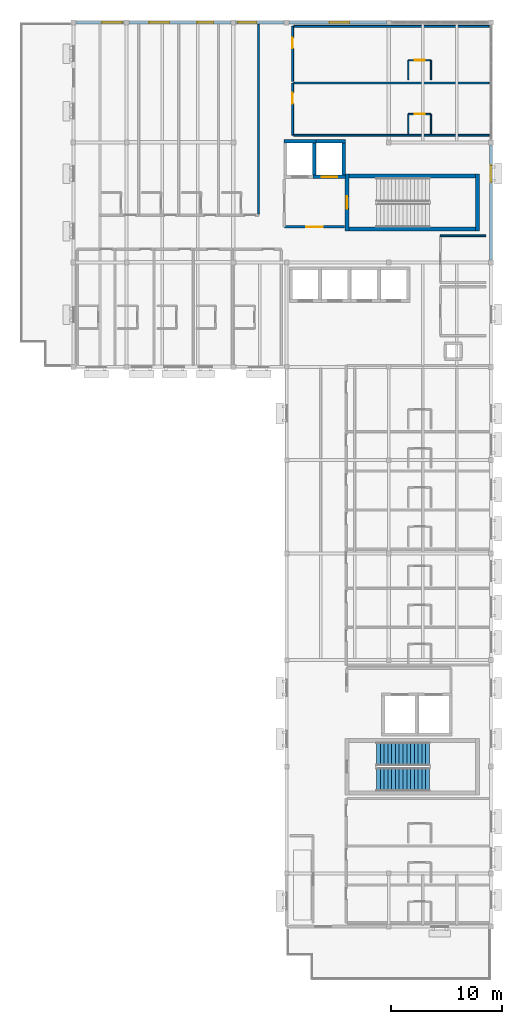
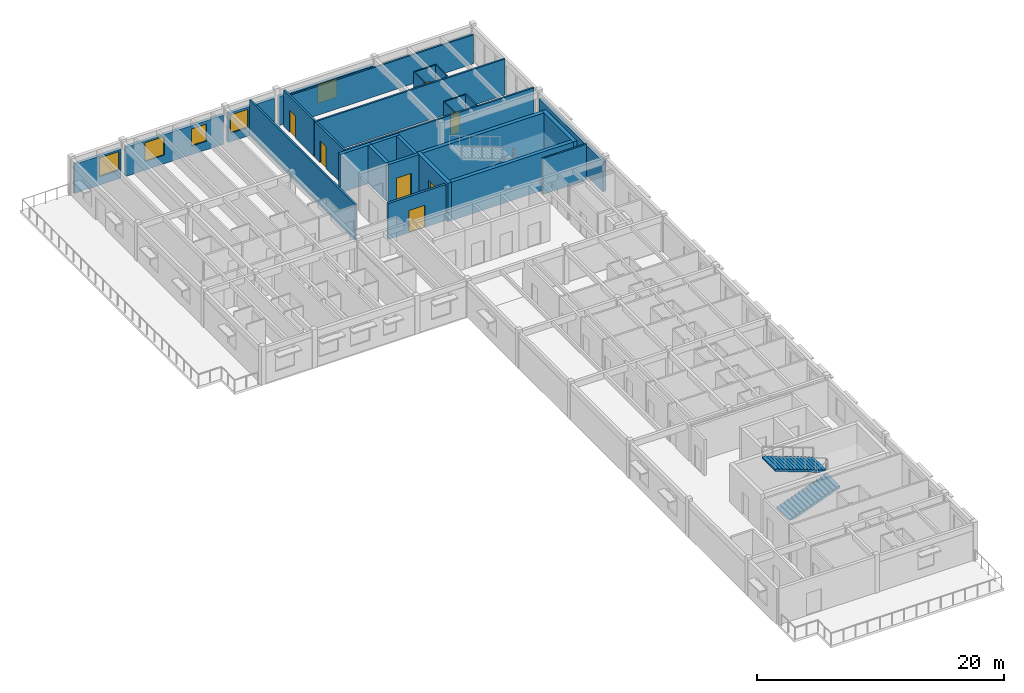
# One storey, part 10 of 15: 28 walls, 7 doors, 6 windows, 2 stair flights, 13 openings, 1 element without a shape of its own.
"""IFC4 building model written with IfcOpenShell, lengths in metres."""

from ifc_helpers import new_model, si_unit, direction, frame, frame_2d, origin, place, context, subcontext, project, spatial, polyline, rectangle, outline, extrude, material, layer, layer_set, type_object, element, fill, aggregate, save


model = new_model("IFC4")

# Units and contexts
model_context = context("Model", 3, precision=1e-05, world=origin(), true_north=direction((0.0, 1.0)))
body_context = subcontext(model_context, "Body", "Model", "MODEL_VIEW")
ifc_project = project(units=[si_unit("LENGTHUNIT", "METRE"), si_unit("AREAUNIT", "SQUARE_METRE"), si_unit("VOLUMEUNIT", "CUBIC_METRE"), si_unit("PLANEANGLEUNIT", "RADIAN"), si_unit("MASSUNIT", "GRAM", prefix="KILO")], contexts=[model_context])

# Site, building, storey
site_placement = place(None, origin())
site = spatial("IfcSite", under=ifc_project, at=site_placement, CompositionType="ELEMENT")
building_placement = place(site_placement, origin())
building = spatial("IfcBuilding", under=site, at=building_placement, Name="Veldera Park Congress Hotel", CompositionType="ELEMENT")
storey_placement = place(building_placement, frame((0.0, 0.0, 39.0)))
storey = spatial("IfcBuildingStorey", under=building, at=storey_placement, Name="L09", CompositionType="ELEMENT", Elevation=39.0)

# Wall, opening, window
ifc_material_1 = material(Name="Cross-laminated timber CLT V2M1.1", Category="wood")
ifc_layer_1 = layer(ifc_material_1, 0.280029296875)
ifc_layer_set_1 = layer_set([ifc_layer_1], Name="Cross-laminated timber CLT V2M1.1")
wall_type_1 = type_object("IfcWallType", Name="EW-CLT280", PredefinedType="STANDARD", material=ifc_layer_set_1)
wall_1_placement = place(storey_placement, frame((84.0, 36.623046875, 0.0), z_axis=(0.0, 0.0, 1.0), x_axis=(0.0, 1.0, 0.0)))
wall_1 = element("IfcWall", 1, at=wall_1_placement, inside=storey, type_object=wall_type_1, Name="L09 Exterior Wall EW3-L09-0406", PredefinedType="STANDARD", context=body_context, shape_type="SweptSolid", body=[
    extrude(rectangle(XDim=10.35400390625, YDim=0.280029296875, at=frame_2d((5.177001953125, 0.0))), origin(), (0.0, 0.0, 1.0), 2.97998046875),
])
opening_1_placement = place(wall_1_placement, frame((7.015380859375, 0.0, 0.85009765625)))
opening_1 = element("IfcOpeningElement", 2, at=opening_1_placement, cuts=wall_1, Name="Opening WIN-1500", PredefinedType="OPENING", context=body_context, shape_type="SweptSolid", body=[
    extrude(rectangle(XDim=1.5, YDim=1.75, at=frame_2d((0.75, 0.875))), frame((0.0, 0.152099609375, 0.0), z_axis=(0.0, -1.0, 0.0), x_axis=(1.0, 0.0, 0.0)), (0.0, 0.0, 1.0), 0.303955078125),
])
ifc_material_2 = material(Name="Low-E Triple Insulating Glass Unit (SHGC 0.22)", Category="glass")
window_type_1 = type_object("IfcWindowType", Name="WIN-1500", PartitioningType="SINGLE_PANEL", PredefinedType="WINDOW", material=ifc_material_2)
window_1_placement = place(opening_1_placement, origin())
window_1 = element("IfcWindow", 3, at=window_1_placement, inside=storey, type_object=window_type_1, Name="L09 Window WIN-1500 314", OverallHeight=1.75, OverallWidth=1.5, PartitioningType="SINGLE_PANEL", PredefinedType="WINDOW", context=body_context, shape_type="SweptSolid", body=[
    extrude(rectangle(XDim=1.5, YDim=1.75, at=frame_2d((0.75, 0.875))), frame((0.0, 0.030029296875, 0.0), z_axis=(0.0, -1.0, 0.0), x_axis=(1.0, 0.0, 0.0)), (0.0, 0.0, 1.0), 0.06005859375),
])
fill(opening_1, window_1)

wall_2_placement = place(storey_placement, frame((74.576904296875, 58.0, 0.0), z_axis=(0.0, 0.0, 1.0), x_axis=(-1.0, 0.0, 0.0)))
wall_2 = element("IfcWall", 4, at=wall_2_placement, inside=storey, type_object=wall_type_1, Name="L09 Exterior Wall EW3-L09-0407", PredefinedType="STANDARD", context=body_context, shape_type="SweptSolid", body=[
    extrude(rectangle(XDim=8.75390625, YDim=0.280029296875, at=frame_2d((4.376953125, 0.0))), origin(), (0.0, 0.0, 1.0), 2.8798828125),
])
opening_2_placement = place(wall_2_placement, frame((3.3134765625, 0.0, 0.85009765625)))
opening_2 = element("IfcOpeningElement", 5, at=opening_2_placement, cuts=wall_2, Name="Opening WIN-1800", PredefinedType="OPENING", context=body_context, shape_type="SweptSolid", body=[
    extrude(rectangle(XDim=1.800048828125, YDim=1.85009765625, at=frame_2d((0.89990234375, 0.925048828125))), frame((0.0, 0.152099609375, 0.0), z_axis=(0.0, -1.0, 0.0), x_axis=(1.0, 0.0, 0.0)), (0.0, 0.0, 1.0), 0.303955078125),
])
window_type_2 = type_object("IfcWindowType", Name="WIN-1800", PartitioningType="SINGLE_PANEL", PredefinedType="WINDOW", material=ifc_material_2)
window_2_placement = place(opening_2_placement, origin())
window_2 = element("IfcWindow", 6, at=window_2_placement, inside=storey, type_object=window_type_2, Name="L09 Window WIN-1800 575", OverallHeight=1.85009765625, OverallWidth=1.800048828125, PartitioningType="SINGLE_PANEL", PredefinedType="WINDOW", context=body_context, shape_type="SweptSolid", body=[
    extrude(rectangle(XDim=1.800048828125, YDim=1.85009765625, at=frame_2d((0.89990234375, 0.925048828125))), frame((0.0, 0.030029296875, 0.0), z_axis=(0.0, -1.0, 0.0), x_axis=(1.0, 0.0, 0.0)), (0.0, 0.0, 1.0), 0.06005859375),
])
fill(opening_2, window_2)

wall_3_placement = place(storey_placement, frame((65.376953125, 58.0, 0.0), z_axis=(0.0, 0.0, 1.0), x_axis=(-1.0, 0.0, 0.0)))
wall_3 = element("IfcWall", 7, at=wall_3_placement, inside=storey, type_object=wall_type_1, Name="L09 Exterior Wall EW3-L09-0408", PredefinedType="STANDARD", context=body_context, shape_type="SweptSolid", body=[
    extrude(rectangle(XDim=4.35400390625, YDim=0.280029296875, at=frame_2d((2.177001953125, 0.0))), origin(), (0.0, 0.0, 1.0), 2.8798828125),
])
opening_3_placement = place(wall_3_placement, frame((2.50048828125, 0.0, 0.85009765625)))
opening_3 = element("IfcOpeningElement", 8, at=opening_3_placement, cuts=wall_3, Name="Opening WIN-1650", PredefinedType="OPENING", context=body_context, shape_type="SweptSolid", body=[
    extrude(rectangle(XDim=1.64990234375, YDim=1.800048828125, at=frame_2d((0.824951171875, 0.89990234375))), frame((0.0, 0.152099609375, 0.0), z_axis=(0.0, -1.0, 0.0), x_axis=(1.0, 0.0, 0.0)), (0.0, 0.0, 1.0), 0.303955078125),
])
window_type_3 = type_object("IfcWindowType", Name="WIN-1650", PartitioningType="SINGLE_PANEL", PredefinedType="WINDOW", material=ifc_material_2)
window_3_placement = place(opening_3_placement, origin())
window_3 = element("IfcWindow", 9, at=window_3_placement, inside=storey, type_object=window_type_3, Name="L09 Window WIN-1650 578", OverallHeight=1.800048828125, OverallWidth=1.64990234375, PartitioningType="SINGLE_PANEL", PredefinedType="WINDOW", context=body_context, shape_type="SweptSolid", body=[
    extrude(rectangle(XDim=1.64990234375, YDim=1.800048828125, at=frame_2d((0.824951171875, 0.89990234375))), frame((0.0, 0.030029296875, 0.0), z_axis=(0.0, -1.0, 0.0), x_axis=(1.0, 0.0, 0.0)), (0.0, 0.0, 1.0), 0.06005859375),
])
fill(opening_3, window_3)

# Wall, openings, windows
wall_4_placement = place(storey_placement, frame((60.576904296875, 58.0, 0.0), z_axis=(0.0, 0.0, 1.0), x_axis=(-1.0, 0.0, 0.0)))
wall_4 = element("IfcWall", 10, at=wall_4_placement, inside=storey, type_object=wall_type_1, Name="L09 Exterior Wall EW3-L09-0409", PredefinedType="STANDARD", context=body_context, shape_type="SweptSolid", body=[
    extrude(rectangle(XDim=9.15380859375, YDim=0.280029296875, at=frame_2d((4.576904296875, 0.0))), origin(), (0.0, 0.0, 1.0), 2.8798828125),
])
opening_4_placement = place(wall_4_placement, frame((1.57861328125, 0.0, 0.85009765625)))
opening_4 = element("IfcOpeningElement", 11, at=opening_4_placement, cuts=wall_4, Name="Opening WIN-1420", PredefinedType="OPENING", context=body_context, shape_type="SweptSolid", body=[
    extrude(rectangle(XDim=1.419921875, YDim=1.699951171875, at=frame_2d((0.7099609375, 0.85009765625))), frame((0.0, 0.152099609375, 0.0), z_axis=(0.0, -1.0, 0.0), x_axis=(1.0, 0.0, 0.0)), (0.0, 0.0, 1.0), 0.303955078125),
])
opening_5_placement = place(wall_4_placement, frame((5.537109375, 0.0, 0.85009765625)))
opening_5 = element("IfcOpeningElement", 12, at=opening_5_placement, cuts=wall_4, Name="Opening WIN-1800", PredefinedType="OPENING", context=body_context, shape_type="SweptSolid", body=[
    extrude(rectangle(XDim=1.800048828125, YDim=1.85009765625, at=frame_2d((0.89990234375, 0.925048828125))), frame((0.0, 0.152099609375, 0.0), z_axis=(0.0, -1.0, 0.0), x_axis=(1.0, 0.0, 0.0)), (0.0, 0.0, 1.0), 0.303955078125),
])
window_type_4 = type_object("IfcWindowType", Name="WIN-1420", PartitioningType="SINGLE_PANEL", PredefinedType="WINDOW", material=ifc_material_2)
window_4_placement = place(opening_4_placement, origin())
window_4 = element("IfcWindow", 13, at=window_4_placement, inside=storey, type_object=window_type_4, Name="L09 Window WIN-1420 315", OverallHeight=1.699951171875, OverallWidth=1.419921875, PartitioningType="SINGLE_PANEL", PredefinedType="WINDOW", context=body_context, shape_type="SweptSolid", body=[
    extrude(rectangle(XDim=1.419921875, YDim=1.699951171875, at=frame_2d((0.7099609375, 0.85009765625))), frame((0.0, 0.030029296875, 0.0), z_axis=(0.0, -1.0, 0.0), x_axis=(1.0, 0.0, 0.0)), (0.0, 0.0, 1.0), 0.06005859375),
])
fill(opening_4, window_4)
window_5_placement = place(opening_5_placement, origin())
window_5 = element("IfcWindow", 14, at=window_5_placement, inside=storey, type_object=window_type_2, Name="L09 Window WIN-1800 577", OverallHeight=1.85009765625, OverallWidth=1.800048828125, PartitioningType="SINGLE_PANEL", PredefinedType="WINDOW", context=body_context, shape_type="SweptSolid", body=[
    extrude(rectangle(XDim=1.800048828125, YDim=1.85009765625, at=frame_2d((0.89990234375, 0.925048828125))), frame((0.0, 0.030029296875, 0.0), z_axis=(0.0, -1.0, 0.0), x_axis=(1.0, 0.0, 0.0)), (0.0, 0.0, 1.0), 0.06005859375),
])
fill(opening_5, window_5)

# Wall, opening, window
wall_5_placement = place(storey_placement, frame((50.97705078125, 58.0, 0.0), z_axis=(0.0, 0.0, 1.0), x_axis=(-1.0, 0.0, 0.0)))
wall_5 = element("IfcWall", 15, at=wall_5_placement, inside=storey, type_object=wall_type_1, Name="L09 Exterior Wall EW3-L09-0410", PredefinedType="STANDARD", context=body_context, shape_type="SweptSolid", body=[
    extrude(rectangle(XDim=4.35400390625, YDim=0.280029296875, at=frame_2d((2.177001953125, 0.0))), origin(), (0.0, 0.0, 1.0), 2.8798828125),
])
opening_6_placement = place(wall_5_placement, frame((0.1884765625, 0.0, 0.85009765625)))
opening_6 = element("IfcOpeningElement", 16, at=opening_6_placement, cuts=wall_5, Name="Opening WIN-1800", PredefinedType="OPENING", context=body_context, shape_type="SweptSolid", body=[
    extrude(rectangle(XDim=1.800048828125, YDim=1.85009765625, at=frame_2d((0.89990234375, 0.925048828125))), frame((0.0, 0.152099609375, 0.0), z_axis=(0.0, -1.0, 0.0), x_axis=(1.0, 0.0, 0.0)), (0.0, 0.0, 1.0), 0.303955078125),
])
window_6_placement = place(opening_6_placement, origin())
window_6 = element("IfcWindow", 17, at=window_6_placement, inside=storey, type_object=window_type_2, Name="L09 Window WIN-1800 576", OverallHeight=1.85009765625, OverallWidth=1.800048828125, PartitioningType="SINGLE_PANEL", PredefinedType="WINDOW", context=body_context, shape_type="SweptSolid", body=[
    extrude(rectangle(XDim=1.800048828125, YDim=1.85009765625, at=frame_2d((0.89990234375, 0.925048828125))), frame((0.0, 0.030029296875, 0.0), z_axis=(0.0, -1.0, 0.0), x_axis=(1.0, 0.0, 0.0)), (0.0, 0.0, 1.0), 0.06005859375),
])
fill(opening_6, window_6)

# Walls
ifc_material_3 = material(Name="Fire-Rated Gypsum Board on Cold-Formed Steel Studs", Category="steel")
ifc_layer_2 = layer(ifc_material_3, 0.1201171875)
ifc_layer_set_2 = layer_set([ifc_layer_2], Name="Fire-Rated Gypsum Board on Cold-Formed Steel Studs")
wall_type_2 = type_object("IfcWallType", Name="IW-BATH120", PredefinedType="PARTITIONING", material=ifc_layer_set_2)
for number, where, z_axis, x_axis, name in (
    (18, (76.550048828125, 48.0, 0.0), (0.0, 0.0, 1.0), (0.0, 1.0, 0.0), "L09 Partition Wall IW3-L09-01663"),
    (19, (78.60009765625, 48.0, 0.0), (0.0, 0.0, 1.0), (0.0, 1.0, 0.0), "L09 Partition Wall IW3-L09-01664"),
):
    element("IfcWall", number, at=place(storey_placement, frame(where, z_axis=z_axis, x_axis=x_axis)), inside=storey, type_object=wall_type_2, Name=name, PredefinedType="PARTITIONING", context=body_context, shape_type="SweptSolid", body=[
        extrude(rectangle(XDim=1.75, YDim=0.1201171875, at=frame_2d((0.875, 0.0))), origin(), (0.0, 0.0, 1.0), 3.56494140625),
    ])

# Wall, opening, door
wall_6_placement = place(storey_placement, frame((76.550048828125, 49.75, 0.0), z_axis=(0.0, 0.0, 1.0), x_axis=(1.0, 0.0, 0.0)))
wall_6 = element("IfcWall", 20, at=wall_6_placement, inside=storey, type_object=wall_type_2, Name="L09 Partition Wall IW3-L09-01665", PredefinedType="PARTITIONING", context=body_context, shape_type="SweptSolid", body=[
    extrude(rectangle(XDim=2.050048828125, YDim=0.1201171875, at=frame_2d((1.02490234375, 0.0))), origin(), (0.0, 0.0, 1.0), 3.56494140625),
])
opening_7_placement = place(wall_6_placement, frame((0.574951171875, 0.0, 0.0)))
opening_7 = element("IfcOpeningElement", 21, at=opening_7_placement, cuts=wall_6, Name="Opening ID-BATH090", PredefinedType="OPENING", context=body_context, shape_type="SweptSolid", body=[
    extrude(rectangle(XDim=0.89990234375, YDim=2.14990234375, at=frame_2d((0.449951171875, 1.074951171875))), frame((0.0, 0.072021484375, 0.0), z_axis=(0.0, -1.0, 0.0), x_axis=(1.0, 0.0, 0.0)), (0.0, 0.0, 1.0), 0.14404296875),
])
ifc_material_4 = material(Name="Solid Core White Oak Architectural Door", Category="wood")
door_type_1 = type_object("IfcDoorType", Name="ID-BATH090", OperationType="NOTDEFINED", PredefinedType="DOOR", material=ifc_material_4)
door_1_placement = place(opening_7_placement, origin())
door_1 = element("IfcDoor", 22, at=door_1_placement, inside=storey, type_object=door_type_1, Name="L09 En-suite 272 Door ID3-L09-0683 (DR3-ID3-L09-0683)", OperationType="SINGLE_SWING_LEFT", OverallHeight=2.14990234375, OverallWidth=0.89990234375, PredefinedType="DOOR", context=body_context, shape_type="SweptSolid", body=[
    extrude(rectangle(XDim=0.89990234375, YDim=2.14990234375, at=frame_2d((0.449951171875, 1.074951171875))), frame((0.0, 0.02490234375, 0.0), z_axis=(0.0, -1.0, 0.0), x_axis=(1.0, 0.0, 0.0)), (0.0, 0.0, 1.0), 0.050048828125),
])
fill(opening_7, door_1)

# Walls
for number, where, z_axis, x_axis, name in (
    (23, (76.550048828125, 52.85009765625, 0.0), (0.0, 0.0, 1.0), (0.0, 1.0, 0.0), "L09 Partition Wall IW3-L09-01668"),
    (24, (78.60009765625, 52.85009765625, 0.0), (0.0, 0.0, 1.0), (0.0, 1.0, 0.0), "L09 Partition Wall IW3-L09-01669"),
):
    element("IfcWall", number, at=place(storey_placement, frame(where, z_axis=z_axis, x_axis=x_axis)), inside=storey, type_object=wall_type_2, Name=name, PredefinedType="PARTITIONING", context=body_context, shape_type="SweptSolid", body=[
        extrude(rectangle(XDim=1.75, YDim=0.1201171875, at=frame_2d((0.875, 0.0))), origin(), (0.0, 0.0, 1.0), 3.56494140625),
    ])

# Wall, opening, door
wall_7_placement = place(storey_placement, frame((76.550048828125, 54.60009765625, 0.0), z_axis=(0.0, 0.0, 1.0), x_axis=(1.0, 0.0, 0.0)))
wall_7 = element("IfcWall", 25, at=wall_7_placement, inside=storey, type_object=wall_type_2, Name="L09 Partition Wall IW3-L09-01670", PredefinedType="PARTITIONING", context=body_context, shape_type="SweptSolid", body=[
    extrude(rectangle(XDim=2.050048828125, YDim=0.1201171875, at=frame_2d((1.02490234375, 0.0))), origin(), (0.0, 0.0, 1.0), 3.56494140625),
])
opening_8_placement = place(wall_7_placement, frame((0.574951171875, 0.0, 0.0)))
opening_8 = element("IfcOpeningElement", 26, at=opening_8_placement, cuts=wall_7, Name="Opening ID-BATH090", PredefinedType="OPENING", context=body_context, shape_type="SweptSolid", body=[
    extrude(rectangle(XDim=0.89990234375, YDim=2.14990234375, at=frame_2d((0.449951171875, 1.074951171875))), frame((0.0, 0.072021484375, 0.0), z_axis=(0.0, -1.0, 0.0), x_axis=(1.0, 0.0, 0.0)), (0.0, 0.0, 1.0), 0.14404296875),
])
door_2_placement = place(opening_8_placement, origin())
door_2 = element("IfcDoor", 27, at=door_2_placement, inside=storey, type_object=door_type_1, Name="L09 En-suite 273 Door ID3-L09-0685 (DR3-ID3-L09-0685)", OperationType="SINGLE_SWING_LEFT", OverallHeight=2.14990234375, OverallWidth=0.89990234375, PredefinedType="DOOR", context=body_context, shape_type="SweptSolid", body=[
    extrude(rectangle(XDim=0.89990234375, YDim=2.14990234375, at=frame_2d((0.449951171875, 1.074951171875))), frame((0.0, 0.02490234375, 0.0), z_axis=(0.0, -1.0, 0.0), x_axis=(1.0, 0.0, 0.0)), (0.0, 0.0, 1.0), 0.050048828125),
])
fill(opening_8, door_2)

ifc_layer_3 = layer(ifc_material_3, 0.179931640625)
ifc_layer_set_3 = layer_set([ifc_layer_3], Name="Fire-Rated Gypsum Board on Cold-Formed Steel Studs")
wall_type_3 = type_object("IfcWallType", Name="IW-CORR180", PredefinedType="PARTITIONING", material=ifc_layer_set_3)
wall_8_placement = place(storey_placement, frame((66.14990234375, 52.550048828125, 0.0), z_axis=(0.0, 0.0, 1.0), x_axis=(0.0, -1.0, 0.0)))
wall_8 = element("IfcWall", 28, at=wall_8_placement, inside=storey, type_object=wall_type_3, Name="L09 Corridor Wall IW3-L09-01660", PredefinedType="PARTITIONING", context=body_context, shape_type="SweptSolid", body=[
    extrude(rectangle(XDim=4.699951171875, YDim=0.179931640625, at=frame_2d((2.35009765625, 0.0))), origin(), (0.0, 0.0, 1.0), 3.56494140625),
])
opening_9_placement = place(wall_8_placement, frame((0.8798828125, 0.0, 0.0)))
opening_9 = element("IfcOpeningElement", 29, at=opening_9_placement, cuts=wall_8, Name="Opening ID-UNIT098", PredefinedType="OPENING", context=body_context, shape_type="SweptSolid", body=[
    extrude(rectangle(XDim=0.97998046875, YDim=2.179931640625, at=frame_2d((0.489990234375, 1.08984375))), frame((0.0, 0.10205078125, 0.0), z_axis=(0.0, -1.0, 0.0), x_axis=(1.0, 0.0, 0.0)), (0.0, 0.0, 1.0), 0.203857421875),
])
door_type_2 = type_object("IfcDoorType", Name="ID-UNIT098", OperationType="NOTDEFINED", PredefinedType="DOOR", material=ifc_material_4)
door_3_placement = place(opening_9_placement, origin())
door_3 = element("IfcDoor", 30, at=door_3_placement, inside=storey, type_object=door_type_2, Name="L09 Guestroom 272 Entry Door (DR3-UD3-L09-272)", OperationType="SINGLE_SWING_RIGHT", OverallHeight=2.179931640625, OverallWidth=0.97998046875, PredefinedType="DOOR", context=body_context, shape_type="SweptSolid", body=[
    extrude(rectangle(XDim=0.97998046875, YDim=2.179931640625, at=frame_2d((0.489990234375, 1.08984375))), frame((0.0, 0.02490234375, 0.0), z_axis=(0.0, -1.0, 0.0), x_axis=(1.0, 0.0, 0.0)), (0.0, 0.0, 1.0), 0.050048828125),
])
fill(opening_9, door_3)

wall_9_placement = place(storey_placement, frame((66.14990234375, 57.64990234375, 0.0), z_axis=(0.0, 0.0, 1.0), x_axis=(0.0, -1.0, 0.0)))
wall_9 = element("IfcWall", 31, at=wall_9_placement, inside=storey, type_object=wall_type_3, Name="L09 Corridor Wall IW3-L09-01666", PredefinedType="PARTITIONING", context=body_context, shape_type="SweptSolid", body=[
    extrude(rectangle(XDim=4.949951171875, YDim=0.179931640625, at=frame_2d((2.47509765625, 0.0))), origin(), (0.0, 0.0, 1.0), 3.56494140625),
])
opening_10_placement = place(wall_9_placement, frame((1.0048828125, 0.0, 0.0)))
opening_10 = element("IfcOpeningElement", 32, at=opening_10_placement, cuts=wall_9, Name="Opening ID-UNIT098", PredefinedType="OPENING", context=body_context, shape_type="SweptSolid", body=[
    extrude(rectangle(XDim=0.97998046875, YDim=2.179931640625, at=frame_2d((0.489990234375, 1.08984375))), frame((0.0, 0.10205078125, 0.0), z_axis=(0.0, -1.0, 0.0), x_axis=(1.0, 0.0, 0.0)), (0.0, 0.0, 1.0), 0.203857421875),
])
door_4_placement = place(opening_10_placement, origin())
door_4 = element("IfcDoor", 33, at=door_4_placement, inside=storey, type_object=door_type_2, Name="L09 Guestroom 273 Entry Door (DR3-UD3-L09-273)", OperationType="SINGLE_SWING_RIGHT", OverallHeight=2.179931640625, OverallWidth=0.97998046875, PredefinedType="DOOR", context=body_context, shape_type="SweptSolid", body=[
    extrude(rectangle(XDim=0.97998046875, YDim=2.179931640625, at=frame_2d((0.489990234375, 1.08984375))), frame((0.0, 0.02490234375, 0.0), z_axis=(0.0, -1.0, 0.0), x_axis=(1.0, 0.0, 0.0)), (0.0, 0.0, 1.0), 0.050048828125),
])
fill(opening_10, door_4)

ifc_material_5 = material(Name="Concrete f'c 40 MPa (5,800 psi)", Category="concrete")
ifc_layer_4 = layer(ifc_material_5, 0.219970703125)
ifc_layer_set_4 = layer_set([ifc_layer_4], Name="Concrete f'c 40 MPa (5,800 psi)")
wall_type_4 = type_object("IfcWallType", Name="IW-FIRE220", PredefinedType="STANDARD", material=ifc_layer_set_4)
wall_10_placement = place(storey_placement, frame((65.39990234375, 39.60009765625, 0.0), z_axis=(0.0, 0.0, 1.0), x_axis=(1.0, 0.0, 0.0)))
wall_10 = element("IfcWall", 34, at=wall_10_placement, inside=storey, type_object=wall_type_4, Name="L09 Partition Wall IW3-L09-00319", PredefinedType="STANDARD", context=body_context, shape_type="SweptSolid", body=[
    extrude(rectangle(XDim=5.400146484375, YDim=0.219970703125, at=frame_2d((2.7001953125, 0.0))), origin(), (0.0, 0.0, 1.0), 3.56494140625),
])
opening_11_placement = place(wall_10_placement, frame((1.949951171875, 0.0, 0.0)))
opening_11 = element("IfcOpeningElement", 35, at=opening_11_placement, cuts=wall_10, Name="Opening ID-LOB150", PredefinedType="OPENING", context=body_context, shape_type="SweptSolid", body=[
    extrude(rectangle(XDim=1.5, YDim=2.199951171875, at=frame_2d((0.75, 1.10009765625))), frame((0.0, 0.1220703125, 0.0), z_axis=(0.0, -1.0, 0.0), x_axis=(1.0, 0.0, 0.0)), (0.0, 0.0, 1.0), 0.243896484375),
])
ifc_material_6 = material(Name="Hollow Metal Fire-Rated Steel Door", Category="steel")
door_type_3 = type_object("IfcDoorType", Name="ID-LOB150", OperationType="DOUBLE_DOOR_SINGLE_SWING", PredefinedType="DOOR", material=ifc_material_6)
door_5_placement = place(opening_11_placement, origin())
door_5 = element("IfcDoor", 36, at=door_5_placement, inside=storey, type_object=door_type_3, Name="L09 Firefighting Lobby Door ID3-L09-0119 (DR3-ID3-L09-0119)", OperationType="DOUBLE_DOOR_SINGLE_SWING", OverallHeight=2.199951171875, OverallWidth=1.5, PredefinedType="DOOR", context=body_context, shape_type="SweptSolid", body=[
    extrude(rectangle(XDim=1.5, YDim=2.199951171875, at=frame_2d((0.75, 1.10009765625))), frame((0.0, 0.02490234375, 0.0), z_axis=(0.0, -1.0, 0.0), x_axis=(1.0, 0.0, 0.0)), (0.0, 0.0, 1.0), 0.050048828125),
])
fill(opening_11, door_5)

# Walls
ifc_layer_5 = layer(ifc_material_3, 0.14990234375)
ifc_layer_set_5 = layer_set([ifc_layer_5], Name="Fire-Rated Gypsum Board on Cold-Formed Steel Studs")
wall_type_5 = type_object("IfcWallType", Name="IW-PLMB150", PredefinedType="PLUMBINGWALL", material=ifc_layer_set_5)
wall_11_placement = place(storey_placement, frame((83.550048828125, 38.800048828125, 0.0), z_axis=(0.0, 0.0, 1.0), x_axis=(-1.0, 0.0, 0.0)))
element("IfcWall", 37, at=wall_11_placement, inside=storey, type_object=wall_type_5, Name="L09 Partition Wall IW3-L09-00328", PredefinedType="PLUMBINGWALL", context=body_context, shape_type="SweptSolid", body=[
    extrude(rectangle(XDim=4.10009765625, YDim=0.14990234375, at=frame_2d((2.050048828125, 0.0))), origin(), (0.0, 0.0, 1.0), 3.56494140625),
])
ifc_layer_6 = layer(ifc_material_1, 0.159912109375)
ifc_layer_set_6 = layer_set([ifc_layer_6], Name="Cross-laminated timber CLT V2M1.1")
wall_type_6 = type_object("IfcWallType", Name="IW-UNIT160", PredefinedType="PARTITIONING", material=ifc_layer_set_6)
for number, where, z_axis, x_axis, name in (
    (38, (66.25, 47.85009765625, 0.0), (0.0, 0.0, 1.0), (1.0, 0.0, 0.0), "L09 Partition Wall IW3-L09-01661"),
    (39, (66.25, 52.550048828125, 0.0), (0.0, 0.0, 1.0), (1.0, 0.0, 0.0), "L09 Partition Wall IW3-L09-01662"),
):
    element("IfcWall", number, at=place(storey_placement, frame(where, z_axis=z_axis, x_axis=x_axis)), inside=storey, type_object=wall_type_6, Name=name, PredefinedType="PARTITIONING", context=body_context, shape_type="SweptSolid", body=[
        extrude(rectangle(XDim=17.590087890625, YDim=0.159912109375, at=frame_2d((8.794921875, 0.0))), origin(), (0.0, 0.0, 1.0), 3.56494140625),
    ])
wall_12_placement = place(storey_placement, frame((66.25, 57.64990234375, 0.0), z_axis=(0.0, 0.0, 1.0), x_axis=(1.0, 0.0, 0.0)))
element("IfcWall", 40, at=wall_12_placement, inside=storey, type_object=wall_type_6, Name="L09 Partition Wall IW3-L09-01667", PredefinedType="PARTITIONING", context=body_context, shape_type="SweptSolid", body=[
    extrude(rectangle(XDim=17.590087890625, YDim=0.159912109375, at=frame_2d((8.794921875, 0.0))), origin(), (0.0, 0.0, 1.0), 2.8798828125),
])
wall_13_placement = place(storey_placement, frame((63.080078125, 40.75, 0.0), z_axis=(0.0, 0.0, 1.0), x_axis=(0.0, 1.0, 0.0)))
element("IfcWall", 41, at=wall_13_placement, inside=storey, type_object=wall_type_6, Name="L09 Partition Wall IW3-L09-01685", PredefinedType="PARTITIONING", context=body_context, shape_type="SweptSolid", body=[
    extrude(rectangle(XDim=17.090087890625, YDim=0.159912109375, at=frame_2d((8.544921875, 0.0))), origin(), (0.0, 0.0, 1.0), 3.56494140625),
])
ifc_layer_7 = layer(ifc_material_5, 0.35009765625)
ifc_layer_set_7 = layer_set([ifc_layer_7], Name="Concrete f'c 40 MPa (5,800 psi)")
wall_type_7 = type_object("IfcWallType", Name="SW-CORE350", PredefinedType="SHEAR", material=ifc_layer_set_7)
wall_14_placement = place(storey_placement, frame((70.85009765625, 39.425048828125, 0.0), z_axis=(0.0, 0.0, 1.0), x_axis=(1.0, 0.0, 0.0)))
element("IfcWall", 42, at=wall_14_placement, inside=storey, type_object=wall_type_7, Name="Stair ST1 Core Wall L09-S", PredefinedType="SHEAR", context=body_context, shape_type="SweptSolid", body=[
    extrude(rectangle(XDim=12.099853515625, YDim=0.35009765625, at=frame_2d((6.0498046875, 0.0))), origin(), (0.0, 0.0, 1.0), 3.800048828125),
])
wall_15_placement = place(storey_placement, frame((82.77490234375, 39.25, 0.0), z_axis=(0.0, 0.0, 1.0), x_axis=(0.0, 1.0, 0.0)))
element("IfcWall", 43, at=wall_15_placement, inside=storey, type_object=wall_type_7, Name="Stair ST1 Core Wall L09-E", PredefinedType="SHEAR", context=body_context, shape_type="SweptSolid", body=[
    extrude(rectangle(XDim=5.10009765625, YDim=0.35009765625, at=frame_2d((2.550048828125, 0.0))), origin(), (0.0, 0.0, 1.0), 3.800048828125),
])
wall_16_placement = place(storey_placement, frame((82.949951171875, 44.175048828125, 0.0), z_axis=(0.0, 0.0, 1.0), x_axis=(-1.0, 0.0, 0.0)))
element("IfcWall", 44, at=wall_16_placement, inside=storey, type_object=wall_type_7, Name="Stair ST1 Core Wall L09-N", PredefinedType="SHEAR", context=body_context, shape_type="SweptSolid", body=[
    extrude(rectangle(XDim=12.099853515625, YDim=0.35009765625, at=frame_2d((6.0498046875, 0.0))), origin(), (0.0, 0.0, 1.0), 3.800048828125),
])

# Wall, opening, door
wall_17_placement = place(storey_placement, frame((71.02490234375, 44.35009765625, 0.0), z_axis=(0.0, 0.0, 1.0), x_axis=(0.0, -1.0, 0.0)))
wall_17 = element("IfcWall", 45, at=wall_17_placement, inside=storey, type_object=wall_type_7, Name="Stair ST1 Core Wall L09-W", PredefinedType="SHEAR", context=body_context, shape_type="SweptSolid", body=[
    extrude(rectangle(XDim=5.10009765625, YDim=0.35009765625, at=frame_2d((2.550048828125, 0.0))), origin(), (0.0, 0.0, 1.0), 3.800048828125),
])
opening_12_placement = place(wall_17_placement, frame((2.0, 0.0, 0.0)))
opening_12 = element("IfcOpeningElement", 46, at=opening_12_placement, cuts=wall_17, Name="Opening ID-STAIR110", PredefinedType="OPENING", context=body_context, shape_type="SweptSolid", body=[
    extrude(rectangle(XDim=1.10009765625, YDim=2.199951171875, at=frame_2d((0.550048828125, 1.10009765625))), frame((0.0, 0.18701171875, 0.0), z_axis=(0.0, -1.0, 0.0), x_axis=(1.0, 0.0, 0.0)), (0.0, 0.0, 1.0), 0.3740234375),
])
door_type_4 = type_object("IfcDoorType", Name="ID-STAIR110", OperationType="NOTDEFINED", PredefinedType="DOOR", material=ifc_material_6)
door_6_placement = place(opening_12_placement, origin())
door_6 = element("IfcDoor", 47, at=door_6_placement, inside=storey, type_object=door_type_4, Name="L09 Stair ST1 Fire Door (DR3-SD-ST1-L09)", OperationType="SINGLE_SWING_LEFT", OverallHeight=2.199951171875, OverallWidth=1.10009765625, PredefinedType="DOOR", context=body_context, shape_type="SweptSolid", body=[
    extrude(rectangle(XDim=1.10009765625, YDim=2.199951171875, at=frame_2d((0.550048828125, 1.10009765625))), frame((0.0, 0.02490234375, 0.0), z_axis=(0.0, -1.0, 0.0), x_axis=(1.0, 0.0, 0.0)), (0.0, 0.0, 1.0), 0.050048828125),
])
fill(opening_12, door_6)

# Walls
ifc_layer_8 = layer(ifc_material_5, 0.300048828125)
ifc_layer_set_8 = layer_set([ifc_layer_8], Name="Concrete f'c 40 MPa (5,800 psi)")
wall_type_8 = type_object("IfcWallType", Name="SW-SHFT300", PredefinedType="SHEAR", material=ifc_layer_set_8)
for number, where, z_axis, x_axis, name in (
    (48, (68.25, 47.300048828125, 0.0), (0.0, 0.0, 1.0), (-1.0, 0.0, 0.0), "Lift FL-01 Shaft Wall L09-N"),
    (49, (68.10009765625, 44.25, 0.0), (0.0, 0.0, 1.0), (0.0, 1.0, 0.0), "Lift FL-01 Shaft Wall L09-E"),
):
    element("IfcWall", number, at=place(storey_placement, frame(where, z_axis=z_axis, x_axis=x_axis)), inside=storey, type_object=wall_type_8, Name=name, PredefinedType="SHEAR", context=body_context, shape_type="SweptSolid", body=[
        extrude(rectangle(XDim=2.89990234375, YDim=0.300048828125, at=frame_2d((1.449951171875, 0.0))), origin(), (0.0, 0.0, 1.0), 3.800048828125),
    ])

# Wall, opening, door
wall_18_placement = place(storey_placement, frame((68.0, 44.10009765625, 0.0), z_axis=(0.0, 0.0, 1.0), x_axis=(1.0, 0.0, 0.0)))
wall_18 = element("IfcWall", 50, at=wall_18_placement, inside=storey, type_object=wall_type_8, Name="Lift FL-02 Shaft Wall L09-S", PredefinedType="SHEAR", context=body_context, shape_type="SweptSolid", body=[
    extrude(rectangle(XDim=2.89990234375, YDim=0.300048828125, at=frame_2d((1.449951171875, 0.0))), origin(), (0.0, 0.0, 1.0), 3.800048828125),
])
opening_13_placement = place(wall_18_placement, frame((0.75, 0.0, 0.0)))
opening_13 = element("IfcOpeningElement", 51, at=opening_13_placement, cuts=wall_18, Name="Opening LD-140", PredefinedType="OPENING", context=body_context, shape_type="SweptSolid", body=[
    extrude(rectangle(XDim=1.39990234375, YDim=2.199951171875, at=frame_2d((0.699951171875, 1.10009765625))), frame((0.0, 0.162109375, 0.0), z_axis=(0.0, -1.0, 0.0), x_axis=(1.0, 0.0, 0.0)), (0.0, 0.0, 1.0), 0.323974609375),
])
door_type_5 = type_object("IfcDoorType", Name="LD-140", OperationType="DOUBLE_DOOR_SLIDING", PredefinedType="DOOR", material=ifc_material_6)
door_7_placement = place(opening_13_placement, origin())
door_7 = element("IfcDoor", 52, at=door_7_placement, inside=storey, type_object=door_type_5, Name="L09 Lift FL-02 Landing Door (DR3-LD-FL-02-L09)", OperationType="DOUBLE_DOOR_SLIDING", OverallHeight=2.199951171875, OverallWidth=1.39990234375, PredefinedType="DOOR", context=body_context, shape_type="SweptSolid", body=[
    extrude(rectangle(XDim=1.39990234375, YDim=2.199951171875, at=frame_2d((0.699951171875, 1.10009765625))), frame((0.0, 0.02490234375, 0.0), z_axis=(0.0, -1.0, 0.0), x_axis=(1.0, 0.0, 0.0)), (0.0, 0.0, 1.0), 0.050048828125),
])
fill(opening_13, door_7)

# Walls
for number, where, z_axis, x_axis, name in (
    (53, (70.89990234375, 47.300048828125, 0.0), (0.0, 0.0, 1.0), (-1.0, 0.0, 0.0), "Lift FL-02 Shaft Wall L09-N"),
    (54, (70.75, 44.25, 0.0), (0.0, 0.0, 1.0), (0.0, 1.0, 0.0), "Lift FL-02 Shaft Wall L09-E"),
):
    element("IfcWall", number, at=place(storey_placement, frame(where, z_axis=z_axis, x_axis=x_axis)), inside=storey, type_object=wall_type_8, Name=name, PredefinedType="SHEAR", context=body_context, shape_type="SweptSolid", body=[
        extrude(rectangle(XDim=2.89990234375, YDim=0.300048828125, at=frame_2d((1.449951171875, 0.0))), origin(), (0.0, 0.0, 1.0), 3.800048828125),
    ])

# Stair, stair flights
stair_type = type_object("IfcStairType", Name="ST2", PredefinedType="HALF_TURN_STAIR", material=ifc_material_5)
stair_placement = place(storey_placement, origin())
stair = element("IfcStair", 55, at=stair_placement, inside=storey, type_object=stair_type, Name="L09 Protected Exit Stair ST2", PredefinedType="HALF_TURN_STAIR")
stair_flight_type = type_object("IfcStairFlightType", Name="SFL-ST2", PredefinedType="STRAIGHT", material=ifc_material_5)
stair_flight_1_placement = place(storey_placement, frame((73.699951171875, -10.14990234375, 0.0), z_axis=(0.0, 0.0, 1.0), x_axis=(1.0, 0.0, 0.0)))
stair_flight_1 = element("IfcStairFlight", 56, at=stair_flight_1_placement, type_object=stair_flight_type, Name="ST2 flight 1", NumberOfRisers=15, NumberOfTreads=14, PredefinedType="STRAIGHT", RiserHeight=0.126666667, TreadLength=0.34, context=body_context, shape_type="SweptSolid", body=[
    extrude(outline(polyline([(0.0, 0.0), (0.0, 0.126708984375), (0.340087890625, 0.126708984375), (0.340087890625, 0.25341796875), (0.679931640625, 0.25341796875), (0.679931640625, 0.3798828125), (1.02001953125, 0.3798828125), (1.02001953125, 0.506591796875), (1.360107421875, 0.506591796875), (1.360107421875, 0.63330078125), (1.699951171875, 0.63330078125), (1.699951171875, 0.760009765625), (2.0400390625, 0.760009765625), (2.0400390625, 0.88671875), (2.3798828125, 0.88671875), (2.3798828125, 1.013427734375), (2.719970703125, 1.013427734375), (2.719970703125, 1.139892578125), (3.06005859375, 1.139892578125), (3.06005859375, 1.2666015625), (3.39990234375, 1.2666015625), (3.39990234375, 1.393310546875), (3.739990234375, 1.393310546875), (3.739990234375, 1.52001953125), (4.080078125, 1.52001953125), (4.080078125, 1.646728515625), (4.419921875, 1.646728515625), (4.419921875, 1.7734375), (4.760009765625, 1.7734375), (4.760009765625, 1.89990234375), (4.760009765625, 1.89990234375), (4.760009765625, 1.581298828125), (0.515380859375, 0.0), (0.0, 0.0)])), frame((0.0, 1.050048828125, 0.0), z_axis=(0.0, -1.0, 0.0), x_axis=(1.0, 0.0, 0.0)), (0.0, 0.0, 1.0), 2.10009765625),
])
stair_flight_2_placement = place(storey_placement, frame((78.4599609375, -7.85009765625, 1.89990234375), z_axis=(0.0, 0.0, 1.0), x_axis=(-1.0, 0.0, 0.0)))
stair_flight_2 = element("IfcStairFlight", 57, at=stair_flight_2_placement, type_object=stair_flight_type, Name="ST2 flight 2", NumberOfRisers=15, NumberOfTreads=14, PredefinedType="STRAIGHT", RiserHeight=0.126666667, TreadLength=0.34, context=body_context, shape_type="SweptSolid", body=[
    extrude(outline(polyline([(0.0, 0.0), (0.0, 0.126708984375), (0.340087890625, 0.126708984375), (0.340087890625, 0.25341796875), (0.679931640625, 0.25341796875), (0.679931640625, 0.3798828125), (1.02001953125, 0.3798828125), (1.02001953125, 0.506591796875), (1.360107421875, 0.506591796875), (1.360107421875, 0.63330078125), (1.699951171875, 0.63330078125), (1.699951171875, 0.760009765625), (2.0400390625, 0.760009765625), (2.0400390625, 0.88671875), (2.3798828125, 0.88671875), (2.3798828125, 1.013427734375), (2.719970703125, 1.013427734375), (2.719970703125, 1.139892578125), (3.06005859375, 1.139892578125), (3.06005859375, 1.2666015625), (3.39990234375, 1.2666015625), (3.39990234375, 1.393310546875), (3.739990234375, 1.393310546875), (3.739990234375, 1.52001953125), (4.080078125, 1.52001953125), (4.080078125, 1.646728515625), (4.419921875, 1.646728515625), (4.419921875, 1.7734375), (4.760009765625, 1.7734375), (4.760009765625, 1.89990234375), (4.760009765625, 1.89990234375), (4.760009765625, 1.581298828125), (0.515380859375, 0.0), (0.0, 0.0)])), frame((0.0, 1.050048828125, 0.0), z_axis=(0.0, -1.0, 0.0), x_axis=(1.0, 0.0, 0.0)), (0.0, 0.0, 1.0), 2.10009765625),
])
aggregate(stair, [stair_flight_1, stair_flight_2])

save(model, "model.ifc")
